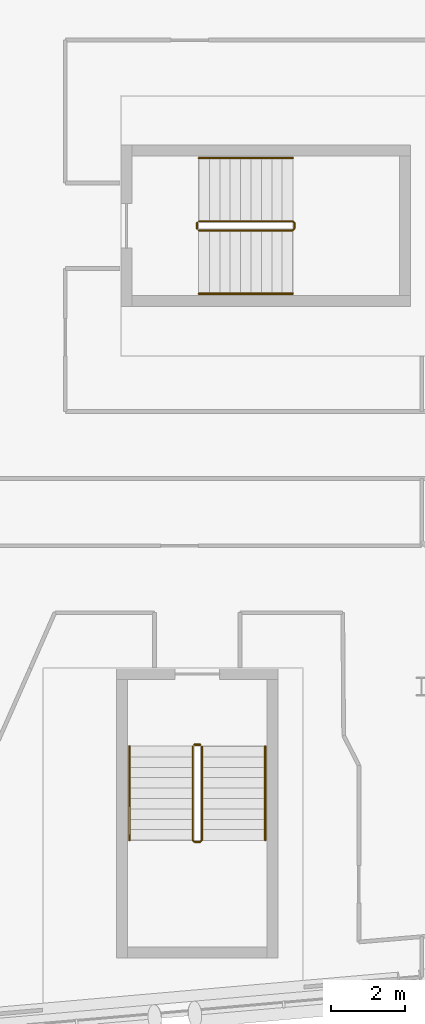
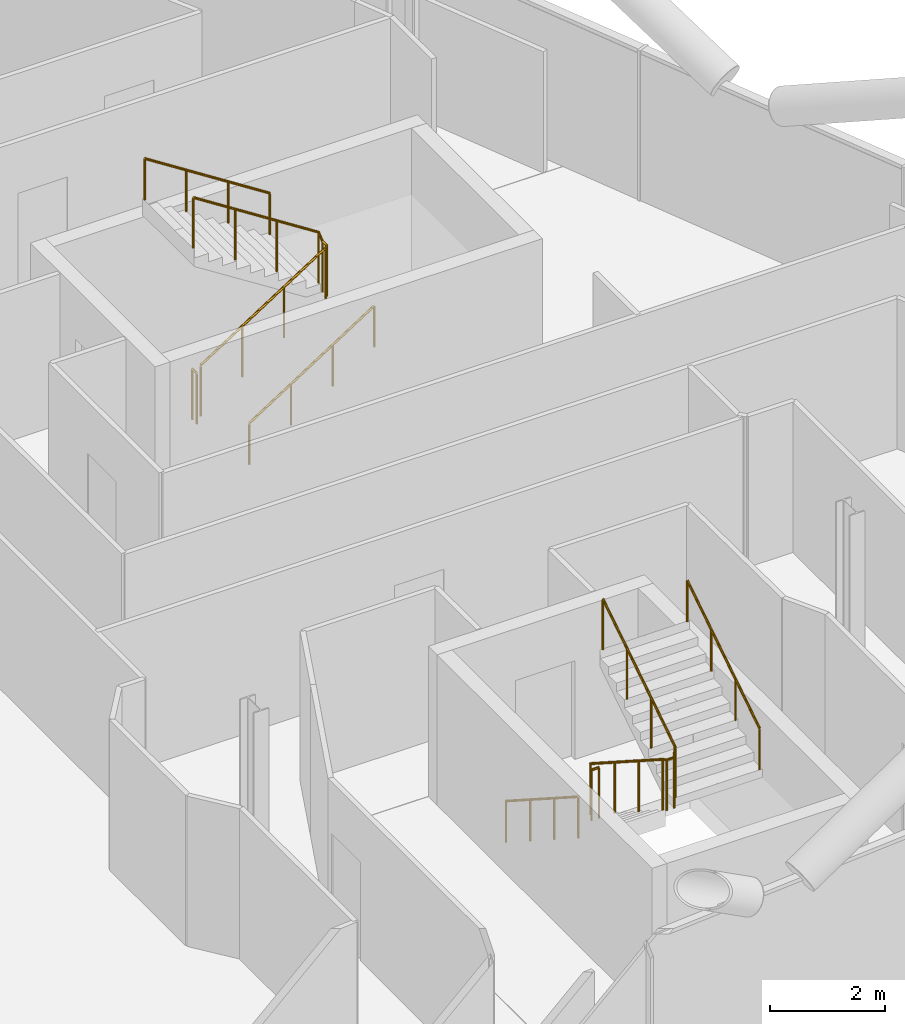
# One storey, part 27 of 28: 8 railings.
"""IFC4 building model written with IfcOpenShell, lengths in metres."""

import ifcopenshell
import ifcopenshell.guid

model = None  # the IFC model being written
_history = None  # IfcOwnerHistory: only IFC2X3 demands one
_inside = {}  # id of a spatial element -> (the spatial element, [elements in it])
_under = {}  # id of a project, library or spatial element -> (it, [spatial elements below it])
_declared = {}  # id of a project -> (the project, [libraries it declares])
_typed = {}  # id of a type object -> (the type object, [elements of that type])
_made_of = {}  # id of a material, layer set ... -> (it, [elements and type objects made of it])


def new_model(schema):
    """Start an empty IFC model of exactly this schema.

    Asked for "IFC4X3", IfcOpenShell would pick the latest addendum, in which some entities
    have other attributes; the version numbers below select the first issue.
    IFC2X3 requires an IfcOwnerHistory on every rooted entity: one is made here for all.
    """
    global model, _history
    if schema == "IFC4X3":
        model = ifcopenshell.file(schema_version=(4, 3, 0, 0))
    else:
        model = ifcopenshell.file(schema=schema)
    _inside.clear()
    _under.clear()
    _declared.clear()
    _typed.clear()
    _made_of.clear()
    _history = None
    if model.schema == "IFC2X3":
        org = make("IfcOrganization", Name="unknown")
        user = make(
            "IfcPersonAndOrganization",
            ThePerson=make("IfcPerson", FamilyName="unknown"),
            TheOrganization=org,
        )
        app = make(
            "IfcApplication",
            ApplicationDeveloper=org,
            Version="unknown",
            ApplicationFullName="unknown",
            ApplicationIdentifier="unknown",
        )
        _history = make(
            "IfcOwnerHistory",
            OwningUser=user,
            OwningApplication=app,
            ChangeAction="ADDED",
            CreationDate=0,
        )
    return model


def make(cls, **values):
    """One entity of the class cls with the attributes given. An attribute that is None is left unset."""
    return model.create_entity(
        cls, **{name: value for name, value in values.items() if value is not None}
    )


def rooted(cls, **values):
    """An entity with a GlobalId (a new one), such as an element, a storey or a relation."""
    return make(cls, GlobalId=ifcopenshell.guid.new(), OwnerHistory=_history, **values)


def si_unit(unit_type, name, prefix=None):
    """IfcSIUnit, for example si_unit("LENGTHUNIT", "METRE", prefix="MILLI")."""
    return make("IfcSIUnit", UnitType=unit_type, Prefix=prefix, Name=name)


def assignment(units):
    """IfcUnitAssignment: the units of a project."""
    return None if units is None else make("IfcUnitAssignment", Units=units)


def point(xyz):
    """IfcCartesianPoint."""
    return None if xyz is None else make("IfcCartesianPoint", Coordinates=xyz)


def direction(xyz):
    """IfcDirection."""
    return None if xyz is None else make("IfcDirection", DirectionRatios=xyz)


def frame(location, z_axis=None, x_axis=None):
    """IfcAxis2Placement3D, a coordinate frame: its origin and axes. An axis left out is left unset."""
    return make(
        "IfcAxis2Placement3D",
        Location=point(location),
        Axis=direction(z_axis),
        RefDirection=direction(x_axis),
    )


def frame_2d(location, x_axis=None):
    """IfcAxis2Placement2D, a coordinate frame in the plane: its origin and x axis."""
    return make(
        "IfcAxis2Placement2D", Location=point(location), RefDirection=direction(x_axis)
    )


def origin():
    """The frame at (0, 0, 0) with its axes left unset."""
    return frame((0.0, 0.0, 0.0))


def origin_2d():
    """The frame at (0, 0) in the plane with its x axis left unset."""
    return frame_2d((0.0, 0.0))


def place(relative_to, where):
    """IfcLocalPlacement: puts the frame where relative to a parent placement (None: the world)."""
    return make(
        "IfcLocalPlacement", PlacementRelTo=relative_to, RelativePlacement=where
    )


def context(
    kind, dimensions, precision=None, world=None, true_north=None, identifier=None
):
    """IfcGeometricRepresentationContext, for example the 3D "Model" context."""
    return make(
        "IfcGeometricRepresentationContext",
        ContextIdentifier=identifier,
        ContextType=kind,
        CoordinateSpaceDimension=dimensions,
        Precision=precision,
        WorldCoordinateSystem=world,
        TrueNorth=true_north,
    )


def subcontext(parent, identifier, kind, view, scale=None):
    """IfcGeometricRepresentationSubContext, for example "Body" below "Model"."""
    return make(
        "IfcGeometricRepresentationSubContext",
        ContextIdentifier=identifier,
        ContextType=kind,
        ParentContext=parent,
        TargetScale=scale,
        TargetView=view,
    )


def project(units=None, contexts=None):
    """IfcProject with its units and contexts."""
    return rooted(
        "IfcProject",
        Name="project",
        RepresentationContexts=contexts,
        UnitsInContext=assignment(units),
    )


def spatial(cls, under=None, at=None, **own):
    """A site, building, storey or space (cls), placed at a placement, below another one or the project."""
    s = rooted(cls, ObjectPlacement=at, **own)
    if under is not None:
        _under.setdefault(under.id(), (under, []))[1].append(s)
    return s


def profile(cls, at=None, kind="AREA", **sizes):
    """A parametric profile (cls). Its sizes go by their IFC names, for example OverallWidth=200.0."""
    return make(cls, ProfileType=kind, Position=at, **sizes)


def circle(**sizes):
    """IfcCircleProfileDef."""
    return profile("IfcCircleProfileDef", **sizes)


def extrude(swept, where, along, depth):
    """IfcExtrudedAreaSolid: the profile swept, set in the frame where, extruded along a direction by depth."""
    return make(
        "IfcExtrudedAreaSolid",
        SweptArea=swept,
        Position=where,
        ExtrudedDirection=direction(along),
        Depth=depth,
    )


def shape(context_of_items, identifier, shape_type, items):
    """IfcShapeRepresentation: the items that make up one representation, for example the "Body"."""
    return make(
        "IfcShapeRepresentation",
        ContextOfItems=context_of_items,
        RepresentationIdentifier=identifier,
        RepresentationType=shape_type,
        Items=items,
    )


def material(Name=None, Category=None):
    """IfcMaterial."""
    return make("IfcMaterial", Name=Name, Category=Category)


def made_of(thing, what):
    """Note that an element or type object is made of a material, layer set ...; save() writes the relation."""
    if what is not None:
        _made_of.setdefault(what.id(), (what, []))[1].append(thing)
    return thing


def type_object(cls, material=None, **own):
    """A type object (cls), such as IfcWallType, which elements share."""
    return made_of(rooted(cls, **own), material)


def element(
    cls,
    number,
    at=None,
    inside=None,
    cuts=None,
    type_object=None,
    material=None,
    context=None,
    identifier="Body",
    shape_type=None,
    held_by="IfcProductDefinitionShape",
    body=None,
    shapes=None,
    **own,
):
    """One element of the class cls, such as IfcWall. Its Tag is "e" and its number.

    at: its placement. inside: the storey or other place that contains it. cuts: it is an
    opening in that element (IfcRelVoidsElement). A single representation is given by context,
    identifier, shape_type and body (its items); several are given by shapes. held_by: the class
    of the entity that holds the representations. save() writes the other relations.
    """
    e = rooted(cls, Tag="e%d" % number, ObjectPlacement=at, **own)
    if body is not None:
        shapes = [shape(context, identifier, shape_type, body)]
    if shapes is not None:
        e.Representation = make(held_by, Representations=shapes)
    if inside is not None:
        _inside.setdefault(inside.id(), (inside, []))[1].append(e)
    if cuts is not None:
        rooted(
            "IfcRelVoidsElement", RelatingBuildingElement=cuts, RelatedOpeningElement=e
        )
    if type_object is not None:
        _typed.setdefault(type_object.id(), (type_object, []))[1].append(e)
    return made_of(e, material)


def aggregate(whole, parts):
    """IfcRelAggregates: a whole, such as a stair, and the parts it consists of."""
    return rooted("IfcRelAggregates", RelatingObject=whole, RelatedObjects=parts)


def save(model, path):
    """Write the relations noted so far, then the file.

    IfcRelAggregates (storeys below a building ...), IfcRelContainedInSpatialStructure (elements
    in a storey), IfcRelDefinesByType, IfcRelAssociatesMaterial and IfcRelDeclares: one each for
    every whole, place, type object, material and project.
    """
    for whole, parts in _under.values():
        aggregate(whole, parts)
    for where, things in _inside.values():
        rooted(
            "IfcRelContainedInSpatialStructure",
            RelatedElements=things,
            RelatingStructure=where,
        )
    for kind, things in _typed.values():
        rooted("IfcRelDefinesByType", RelatedObjects=things, RelatingType=kind)
    for what, things in _made_of.values():
        rooted("IfcRelAssociatesMaterial", RelatedObjects=things, RelatingMaterial=what)
    for by, libraries in _declared.values():
        rooted("IfcRelDeclares", RelatingContext=by, RelatedDefinitions=libraries)
    model.write(path)


model = new_model("IFC4")

# Units and contexts
model_context = context("Model", 3, precision=1e-05, world=origin(), true_north=direction((0.0, 1.0)))
body_context = subcontext(model_context, "Body", "Model", "MODEL_VIEW")
ifc_project = project(units=[si_unit("LENGTHUNIT", "METRE"), si_unit("AREAUNIT", "SQUARE_METRE"), si_unit("VOLUMEUNIT", "CUBIC_METRE"), si_unit("PLANEANGLEUNIT", "RADIAN"), si_unit("MASSUNIT", "GRAM", prefix="KILO")], contexts=[model_context])

# Site, building, storey
site_placement = place(None, origin())
site = spatial("IfcSite", under=ifc_project, at=site_placement, CompositionType="ELEMENT")
building_placement = place(site_placement, origin())
building = spatial("IfcBuilding", under=site, at=building_placement, Name="Wharfspan Tower", CompositionType="ELEMENT")
storey_placement = place(building_placement, frame((0.0, 0.0, 187.899902)))
storey = spatial("IfcBuildingStorey", under=building, at=storey_placement, Name="L46", CompositionType="ELEMENT", Elevation=187.899902)

# Railings
ifc_material = material(Name="Steel S355J2", Category="steel")
railing_type_1 = type_object("IfcRailingType", Name="Stair guard 1100", PredefinedType="GUARDRAIL", material=ifc_material)
railing_1_placement = place(storey_placement, frame((65.836426, 9.883789, 0.180176)))
element("IfcRailing", 1, at=railing_1_placement, inside=storey, type_object=railing_type_1, Name="L46 ST5 stair guard 1", PredefinedType="GUARDRAIL", context=body_context, shape_type="SweptSolid", body=[
    extrude(circle(Radius=0.023926, at=origin_2d()), frame((0.0, 0.0, 1.076172), z_axis=(0.0, -0.8412, 0.540725), x_axis=(1.0, 0.0, 0.0)), (0.0, 0.0, 1.0), 2.99585),
    extrude(circle(Radius=0.023926, at=origin_2d()), frame((0.0, -2.52002, 2.695801), z_axis=(0.705376, -0.708834, 0.0), x_axis=(0.708834, 0.705376, 0.0)), (0.0, 0.0, 1.0), 0.070557),
    extrude(circle(Radius=0.023926, at=origin_2d()), frame((0.049805, -2.570068, 2.695801), z_axis=(1.0, 0.0, 0.0), x_axis=(0.0, 1.0, 0.0)), (0.0, 0.0, 1.0), 0.150146),
    extrude(circle(Radius=0.023926, at=origin_2d()), frame((0.199951, -2.570068, 2.695801), z_axis=(0.258848, 0.258848, 0.930589), x_axis=(-0.707107, 0.707107, 0.0)), (0.0, 0.0, 1.0), 0.193359),
    extrude(circle(Radius=0.023926, at=origin_2d()), frame((0.25, -2.52002, 2.875977), z_axis=(0.0, 0.841163, 0.540782), x_axis=(-1.0, 0.0, 0.0)), (0.0, 0.0, 1.0), 2.99585),
    extrude(circle(Radius=0.020996, at=origin_2d()), origin(), (0.0, 0.0, 1.0), 1.052002),
    extrude(circle(Radius=0.020996, at=origin_2d()), frame((0.0, -0.840088, 0.540039)), (0.0, 0.0, 1.0), 1.052002),
    extrude(circle(Radius=0.020996, at=origin_2d()), frame((0.0, -1.679932, 1.079834)), (0.0, 0.0, 1.0), 1.052002),
    extrude(circle(Radius=0.020996, at=origin_2d()), frame((0.0, -2.52002, 1.619873)), (0.0, 0.0, 1.0), 1.052002),
    extrude(circle(Radius=0.020996, at=origin_2d()), frame((0.049805, -2.570068, 1.619873)), (0.0, 0.0, 1.0), 1.052002),
    extrude(circle(Radius=0.020996, at=origin_2d()), frame((0.199951, -2.570068, 1.619873)), (0.0, 0.0, 1.0), 1.052002),
    extrude(circle(Radius=0.020996, at=origin_2d()), frame((0.25, -2.52002, 1.799805)), (0.0, 0.0, 1.0), 1.052002),
    extrude(circle(Radius=0.020996, at=origin_2d()), frame((0.25, -1.679932, 2.339844)), (0.0, 0.0, 1.0), 1.052002),
    extrude(circle(Radius=0.020996, at=origin_2d()), frame((0.25, -0.840088, 2.879883)), (0.0, 0.0, 1.0), 1.052002),
    extrude(circle(Radius=0.020996, at=origin_2d()), frame((0.25, 0.0, 3.419922)), (0.0, 0.0, 1.0), 1.052002),
])
railing_2_placement = place(storey_placement, frame((65.88623, 9.933594, 0.0)))
element("IfcRailing", 2, at=railing_2_placement, inside=storey, type_object=railing_type_1, Name="L46 ST5 stair guard 2", PredefinedType="GUARDRAIL", context=body_context, shape_type="SweptSolid", body=[
    extrude(circle(Radius=0.023926, at=origin_2d()), frame((0.0, 0.0, 1.076172), z_axis=(1.0, 0.0, 0.0), x_axis=(0.0, 1.0, 0.0)), (0.0, 0.0, 1.0), 0.150146),
    extrude(circle(Radius=0.020996, at=origin_2d()), origin(), (0.0, 0.0, 1.0), 1.052002),
    extrude(circle(Radius=0.020996, at=origin_2d()), frame((0.150146, 0.0, 0.0)), (0.0, 0.0, 1.0), 1.052002),
])
railing_3_placement = place(storey_placement, frame((66.004639, 23.774902, 0.180176)))
element("IfcRailing", 3, at=railing_3_placement, inside=storey, type_object=railing_type_1, Name="L46 ST6 stair guard 1", PredefinedType="GUARDRAIL", context=body_context, shape_type="SweptSolid", body=[
    extrude(circle(Radius=0.023926, at=origin_2d()), frame((0.0, 0.0, 1.076172), z_axis=(0.8412, 0.0, 0.540725), x_axis=(0.0, 1.0, 0.0)), (0.0, 0.0, 1.0), 2.99585),
    extrude(circle(Radius=0.023926, at=origin_2d()), frame((2.52002, 0.0, 2.695801), z_axis=(0.707107, 0.707107, 0.0), x_axis=(-0.707107, 0.707107, 0.0)), (0.0, 0.0, 1.0), 0.070801),
    extrude(circle(Radius=0.023926, at=origin_2d()), frame((2.570068, 0.050049, 2.695801), z_axis=(0.0, 1.0, 0.0), x_axis=(-1.0, 0.0, 0.0)), (0.0, 0.0, 1.0), 0.150146),
    extrude(circle(Radius=0.023926, at=origin_2d()), frame((2.570068, 0.200195, 2.695801), z_axis=(-0.258932, 0.257669, 0.930892), x_axis=(-0.705372, -0.708833, 1e-06)), (0.0, 0.0, 1.0), 0.193359),
    extrude(circle(Radius=0.023926, at=origin_2d()), frame((2.52002, 0.25, 2.875977), z_axis=(-0.841163, 0.0, 0.540782), x_axis=(0.0, -1.0, 0.0)), (0.0, 0.0, 1.0), 2.99585),
    extrude(circle(Radius=0.020996, at=origin_2d()), origin(), (0.0, 0.0, 1.0), 1.052002),
    extrude(circle(Radius=0.020996, at=origin_2d()), frame((0.840088, 0.0, 0.540039)), (0.0, 0.0, 1.0), 1.052002),
    extrude(circle(Radius=0.020996, at=origin_2d()), frame((1.679932, 0.0, 1.079834)), (0.0, 0.0, 1.0), 1.052002),
    extrude(circle(Radius=0.020996, at=origin_2d()), frame((2.52002, 0.0, 1.619873)), (0.0, 0.0, 1.0), 1.052002),
    extrude(circle(Radius=0.020996, at=origin_2d()), frame((2.570068, 0.050049, 1.619873)), (0.0, 0.0, 1.0), 1.052002),
    extrude(circle(Radius=0.020996, at=origin_2d()), frame((2.570068, 0.200195, 1.619873)), (0.0, 0.0, 1.0), 1.052002),
    extrude(circle(Radius=0.020996, at=origin_2d()), frame((2.52002, 0.25, 1.799805)), (0.0, 0.0, 1.0), 1.052002),
    extrude(circle(Radius=0.020996, at=origin_2d()), frame((1.679932, 0.25, 2.339844)), (0.0, 0.0, 1.0), 1.052002),
    extrude(circle(Radius=0.020996, at=origin_2d()), frame((0.840088, 0.25, 2.879883)), (0.0, 0.0, 1.0), 1.052002),
    extrude(circle(Radius=0.020996, at=origin_2d()), frame((0.0, 0.25, 3.419922)), (0.0, 0.0, 1.0), 1.052002),
])
railing_4_placement = place(storey_placement, frame((65.95459, 23.824951, 0.0)))
element("IfcRailing", 4, at=railing_4_placement, inside=storey, type_object=railing_type_1, Name="L46 ST6 stair guard 2", PredefinedType="GUARDRAIL", context=body_context, shape_type="SweptSolid", body=[
    extrude(circle(Radius=0.023926, at=origin_2d()), frame((0.0, 0.0, 1.076172), z_axis=(0.0, 1.0, 0.0), x_axis=(-1.0, 0.0, 0.0)), (0.0, 0.0, 1.0), 0.150146),
    extrude(circle(Radius=0.020996, at=origin_2d()), origin(), (0.0, 0.0, 1.0), 1.052002),
    extrude(circle(Radius=0.020996, at=origin_2d()), frame((0.0, 0.150146, 0.0)), (0.0, 0.0, 1.0), 1.052002),
])
railing_type_2 = type_object("IfcRailingType", Name="Stair handrail 900", PredefinedType="HANDRAIL", material=ifc_material)
railing_5_placement = place(storey_placement, frame((64.13623, 9.883789, 0.180176)))
element("IfcRailing", 5, at=railing_5_placement, inside=storey, type_object=railing_type_2, Name="L46 ST5 stair handrail 1", PredefinedType="HANDRAIL", context=body_context, shape_type="SweptSolid", body=[
    extrude(circle(Radius=0.023926, at=origin_2d()), frame((0.0, 0.0, 0.875977), z_axis=(0.0, -0.8412, 0.540725), x_axis=(1.0, 0.0, 0.0)), (0.0, 0.0, 1.0), 2.99585),
    extrude(circle(Radius=0.020996, at=origin_2d()), origin(), (0.0, 0.0, 1.0), 0.851807),
    extrude(circle(Radius=0.020996, at=origin_2d()), frame((0.0, -0.840088, 0.540039)), (0.0, 0.0, 1.0), 0.851807),
    extrude(circle(Radius=0.020996, at=origin_2d()), frame((0.0, -1.679932, 1.079834)), (0.0, 0.0, 1.0), 0.851807),
    extrude(circle(Radius=0.020996, at=origin_2d()), frame((0.0, -2.52002, 1.619873)), (0.0, 0.0, 1.0), 0.851807),
])
railing_6_placement = place(storey_placement, frame((67.786377, 7.36377, 1.97998)))
element("IfcRailing", 6, at=railing_6_placement, inside=storey, type_object=railing_type_2, Name="L46 ST5 stair handrail 2", PredefinedType="HANDRAIL", context=body_context, shape_type="SweptSolid", body=[
    extrude(circle(Radius=0.023926, at=origin_2d()), frame((0.0, 0.0, 0.875977), z_axis=(0.0, 0.841163, 0.540782), x_axis=(-1.0, 0.0, 0.0)), (0.0, 0.0, 1.0), 2.99585),
    extrude(circle(Radius=0.020996, at=origin_2d()), origin(), (0.0, 0.0, 1.0), 0.851807),
    extrude(circle(Radius=0.020996, at=origin_2d()), frame((0.0, 0.840088, 0.540039)), (0.0, 0.0, 1.0), 0.851807),
    extrude(circle(Radius=0.020996, at=origin_2d()), frame((0.0, 1.679932, 1.080078)), (0.0, 0.0, 1.0), 0.851807),
    extrude(circle(Radius=0.020996, at=origin_2d()), frame((0.0, 2.52002, 1.620117)), (0.0, 0.0, 1.0), 0.851807),
])
railing_7_placement = place(storey_placement, frame((66.004639, 22.074951, 0.180176)))
element("IfcRailing", 7, at=railing_7_placement, inside=storey, type_object=railing_type_2, Name="L46 ST6 stair handrail 1", PredefinedType="HANDRAIL", context=body_context, shape_type="SweptSolid", body=[
    extrude(circle(Radius=0.023926, at=origin_2d()), frame((0.0, 0.0, 0.875977), z_axis=(0.8412, 0.0, 0.540725), x_axis=(0.0, 1.0, 0.0)), (0.0, 0.0, 1.0), 2.99585),
    extrude(circle(Radius=0.020996, at=origin_2d()), origin(), (0.0, 0.0, 1.0), 0.851807),
    extrude(circle(Radius=0.020996, at=origin_2d()), frame((0.840088, 0.0, 0.540039)), (0.0, 0.0, 1.0), 0.851807),
    extrude(circle(Radius=0.020996, at=origin_2d()), frame((1.679932, 0.0, 1.079834)), (0.0, 0.0, 1.0), 0.851807),
    extrude(circle(Radius=0.020996, at=origin_2d()), frame((2.52002, 0.0, 1.619873)), (0.0, 0.0, 1.0), 0.851807),
])
railing_8_placement = place(storey_placement, frame((68.524658, 25.725098, 1.97998)))
element("IfcRailing", 8, at=railing_8_placement, inside=storey, type_object=railing_type_2, Name="L46 ST6 stair handrail 2", PredefinedType="HANDRAIL", context=body_context, shape_type="SweptSolid", body=[
    extrude(circle(Radius=0.023926, at=origin_2d()), frame((0.0, 0.0, 0.875977), z_axis=(-0.841163, 0.0, 0.540782), x_axis=(0.0, -1.0, 0.0)), (0.0, 0.0, 1.0), 2.99585),
    extrude(circle(Radius=0.020996, at=origin_2d()), origin(), (0.0, 0.0, 1.0), 0.851807),
    extrude(circle(Radius=0.020996, at=origin_2d()), frame((-0.840088, 0.0, 0.540039)), (0.0, 0.0, 1.0), 0.851807),
    extrude(circle(Radius=0.020996, at=origin_2d()), frame((-1.679932, 0.0, 1.080078)), (0.0, 0.0, 1.0), 0.851807),
    extrude(circle(Radius=0.020996, at=origin_2d()), frame((-2.52002, 0.0, 1.620117)), (0.0, 0.0, 1.0), 0.851807),
])

save(model, "model.ifc")
